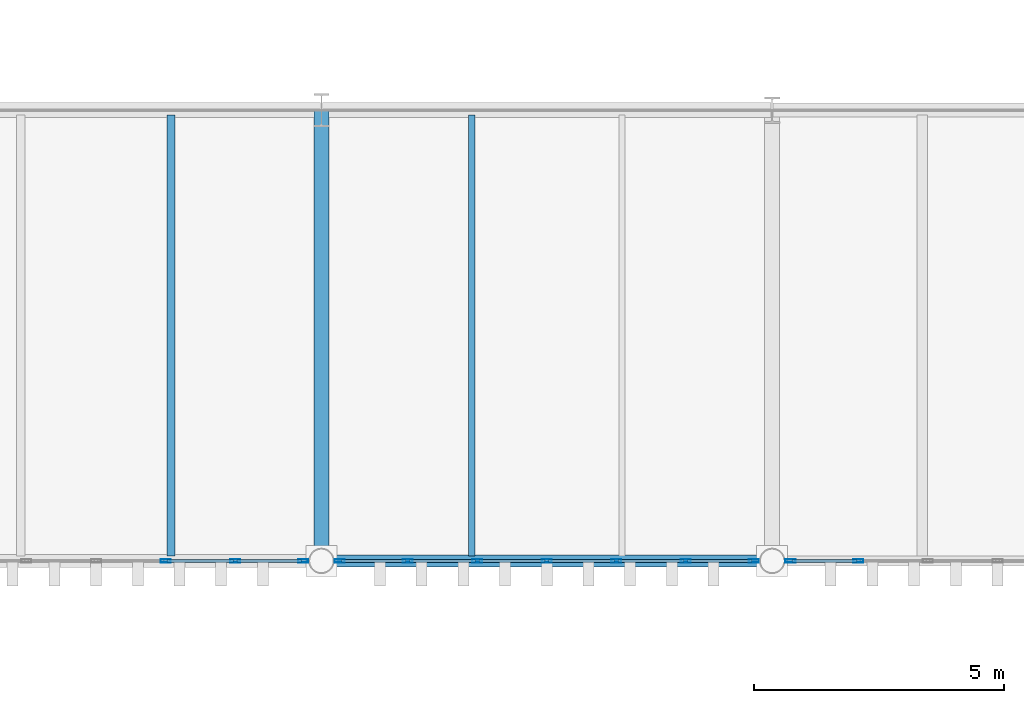
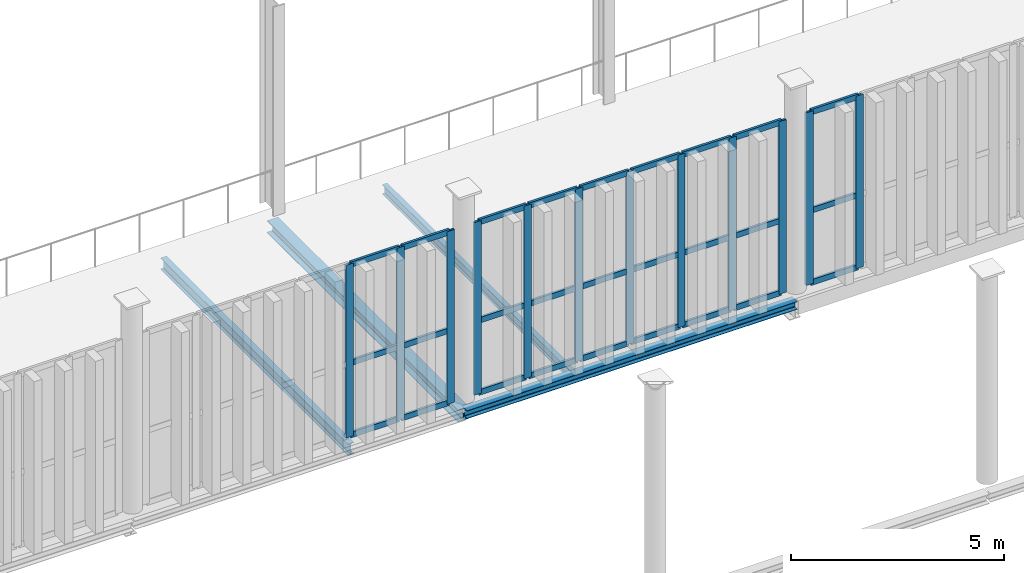
# One storey, part 38 of 211: 39 members, 4 beams, 3 elements without a shape of their own.
"""IFC4 building model written with IfcOpenShell, lengths in metres."""

from ifc_helpers import new_model, si_unit, direction, frame, origin, origin_2d, place, context, subcontext, project, spatial, hollow_rectangle, i_section, extrude, material, layer, layer_set, material_profile, profile_set, type_object, element, aggregate, save


model = new_model("IFC4")

# Units and contexts
model_context = context("Model", 3, precision=1e-05, world=origin(), true_north=direction((0.0, 1.0)))
body_context = subcontext(model_context, "Body", "Model", "MODEL_VIEW")
ifc_project = project(units=[si_unit("LENGTHUNIT", "METRE"), si_unit("AREAUNIT", "SQUARE_METRE"), si_unit("VOLUMEUNIT", "CUBIC_METRE"), si_unit("PLANEANGLEUNIT", "RADIAN"), si_unit("MASSUNIT", "GRAM", prefix="KILO")], contexts=[model_context])

# Site, building, storey
site_placement = place(None, origin())
site = spatial("IfcSite", under=ifc_project, at=site_placement, CompositionType="ELEMENT")
building_placement = place(site_placement, origin())
building = spatial("IfcBuilding", under=site, at=building_placement, Name="Barlavento Convention Centre", CompositionType="ELEMENT")
storey_placement = place(building_placement, frame((0.0, 0.0, 6.0)))
storey = spatial("IfcBuildingStorey", under=building, at=storey_placement, Name="L01", CompositionType="ELEMENT", Elevation=6.0)

# Curtain wall, members
ifc_material_1 = material(Name="Powder-coated aluminium and Low-E glass", Category="aluminium")
ifc_layer = layer(ifc_material_1, 0.18505859375)
ifc_layer_set = layer_set([ifc_layer], Name="ARC-CW-CONG-L01")
curtain_wall_type = type_object("IfcCurtainWallType", Name="ARC-CW-CONG-L01", PredefinedType="NOTDEFINED", material=ifc_layer_set)
curtain_wall_1_placement = place(storey_placement, origin())
curtain_wall_1 = element("IfcCurtainWall", 1, at=curtain_wall_1_placement, inside=storey, type_object=curtain_wall_type, Name="L01 unitised curtain wall CW01", PredefinedType="NOTDEFINED")
ifc_material_2 = material(Name="Powder-coated aluminium", Category="aluminium")
ifc_material_profile_1 = material_profile(ifc_material_2, hollow_rectangle(XDim=0.06494140625, YDim=0.199951171875, WallThickness=0.0048828125, at=origin_2d()), Name="AL-MULL 65x200x5")
ifc_profile_set_1 = profile_set([ifc_material_profile_1], Name="Powder-coated aluminium")
member_type_1 = type_object("IfcMemberType", Name="ARC-CWM-65X200", PredefinedType="MULLION", material=ifc_profile_set_1)
member_1_placement = place(storey_placement, frame((32.888671875, 9.0, 0.0), z_axis=(0.0, 0.0, 1.0), x_axis=(0.0, 1.0, 0.0)))
member_1 = element("IfcMember", 2, at=member_1_placement, type_object=member_type_1, Name="CW01 mullion 5", PredefinedType="MULLION", context=body_context, shape_type="SweptSolid", body=[
    extrude(hollow_rectangle(XDim=0.06494140625, YDim=0.199951171875, WallThickness=0.0048828125, at=origin_2d()), origin(), (0.0, 0.0, 1.0), 4.949951171875),
])
member_2_placement = place(storey_placement, frame((34.27734375, 9.0, 0.0), z_axis=(0.0, 0.0, 1.0), x_axis=(0.0, 1.0, 0.0)))
member_2 = element("IfcMember", 3, at=member_2_placement, type_object=member_type_1, Name="CW01 mullion 6", PredefinedType="MULLION", context=body_context, shape_type="SweptSolid", body=[
    extrude(hollow_rectangle(XDim=0.06494140625, YDim=0.199951171875, WallThickness=0.0048828125, at=origin_2d()), origin(), (0.0, 0.0, 1.0), 4.949951171875),
])
member_3_placement = place(storey_placement, frame((35.633544921875, 9.0, 0.0), z_axis=(0.0, 0.0, 1.0), x_axis=(0.0, 1.0, 0.0)))
member_3 = element("IfcMember", 4, at=member_3_placement, type_object=member_type_1, Name="CW01 mullion 7", PredefinedType="MULLION", context=body_context, shape_type="SweptSolid", body=[
    extrude(hollow_rectangle(XDim=0.06494140625, YDim=0.199951171875, WallThickness=0.0048828125, at=origin_2d()), origin(), (0.0, 0.0, 1.0), 4.949951171875),
])

curtain_wall_2_placement = place(storey_placement, origin())
curtain_wall_2 = element("IfcCurtainWall", 5, at=curtain_wall_2_placement, inside=storey, type_object=curtain_wall_type, Name="L01 unitised curtain wall CW01", PredefinedType="NOTDEFINED")
member_4_placement = place(storey_placement, frame((36.366455078125, 9.0, 0.0), z_axis=(0.0, 0.0, 1.0), x_axis=(0.0, 1.0, 0.0)))
member_4 = element("IfcMember", 6, at=member_4_placement, type_object=member_type_1, Name="CW01 mullion 1", PredefinedType="MULLION", context=body_context, shape_type="SweptSolid", body=[
    extrude(hollow_rectangle(XDim=0.06494140625, YDim=0.199951171875, WallThickness=0.0048828125, at=origin_2d()), origin(), (0.0, 0.0, 1.0), 4.949951171875),
])
member_5_placement = place(storey_placement, frame((37.72265625, 9.0, 0.0), z_axis=(0.0, 0.0, 1.0), x_axis=(0.0, 1.0, 0.0)))
member_5 = element("IfcMember", 7, at=member_5_placement, type_object=member_type_1, Name="CW01 mullion 2", PredefinedType="MULLION", context=body_context, shape_type="SweptSolid", body=[
    extrude(hollow_rectangle(XDim=0.06494140625, YDim=0.199951171875, WallThickness=0.0048828125, at=origin_2d()), origin(), (0.0, 0.0, 1.0), 4.949951171875),
])
member_6_placement = place(storey_placement, frame((39.111328125, 9.0, 0.0), z_axis=(0.0, 0.0, 1.0), x_axis=(0.0, 1.0, 0.0)))
member_6 = element("IfcMember", 8, at=member_6_placement, type_object=member_type_1, Name="CW01 mullion 3", PredefinedType="MULLION", context=body_context, shape_type="SweptSolid", body=[
    extrude(hollow_rectangle(XDim=0.06494140625, YDim=0.199951171875, WallThickness=0.0048828125, at=origin_2d()), origin(), (0.0, 0.0, 1.0), 4.949951171875),
])
member_7_placement = place(storey_placement, frame((40.5, 9.0, 0.0), z_axis=(0.0, 0.0, 1.0), x_axis=(0.0, 1.0, 0.0)))
member_7 = element("IfcMember", 9, at=member_7_placement, type_object=member_type_1, Name="CW01 mullion 4", PredefinedType="MULLION", context=body_context, shape_type="SweptSolid", body=[
    extrude(hollow_rectangle(XDim=0.06494140625, YDim=0.199951171875, WallThickness=0.0048828125, at=origin_2d()), origin(), (0.0, 0.0, 1.0), 4.949951171875),
])
member_8_placement = place(storey_placement, frame((41.888671875, 9.0, 0.0), z_axis=(0.0, 0.0, 1.0), x_axis=(0.0, 1.0, 0.0)))
member_8 = element("IfcMember", 10, at=member_8_placement, type_object=member_type_1, Name="CW01 mullion 5", PredefinedType="MULLION", context=body_context, shape_type="SweptSolid", body=[
    extrude(hollow_rectangle(XDim=0.06494140625, YDim=0.199951171875, WallThickness=0.0048828125, at=origin_2d()), origin(), (0.0, 0.0, 1.0), 4.949951171875),
])
member_9_placement = place(storey_placement, frame((43.27734375, 9.0, 0.0), z_axis=(0.0, 0.0, 1.0), x_axis=(0.0, 1.0, 0.0)))
member_9 = element("IfcMember", 11, at=member_9_placement, type_object=member_type_1, Name="CW01 mullion 6", PredefinedType="MULLION", context=body_context, shape_type="SweptSolid", body=[
    extrude(hollow_rectangle(XDim=0.06494140625, YDim=0.199951171875, WallThickness=0.0048828125, at=origin_2d()), origin(), (0.0, 0.0, 1.0), 4.949951171875),
])
member_10_placement = place(storey_placement, frame((44.633544921875, 9.0, 0.0), z_axis=(0.0, 0.0, 1.0), x_axis=(0.0, 1.0, 0.0)))
member_10 = element("IfcMember", 12, at=member_10_placement, type_object=member_type_1, Name="CW01 mullion 7", PredefinedType="MULLION", context=body_context, shape_type="SweptSolid", body=[
    extrude(hollow_rectangle(XDim=0.06494140625, YDim=0.199951171875, WallThickness=0.0048828125, at=origin_2d()), origin(), (0.0, 0.0, 1.0), 4.949951171875),
])

curtain_wall_3_placement = place(storey_placement, origin())
curtain_wall_3 = element("IfcCurtainWall", 13, at=curtain_wall_3_placement, inside=storey, type_object=curtain_wall_type, Name="L01 unitised curtain wall CW01", PredefinedType="NOTDEFINED")
member_11_placement = place(storey_placement, frame((45.366455078125, 9.0, 0.0), z_axis=(0.0, 0.0, 1.0), x_axis=(0.0, 1.0, 0.0)))
member_11 = element("IfcMember", 14, at=member_11_placement, type_object=member_type_1, Name="CW01 mullion 1", PredefinedType="MULLION", context=body_context, shape_type="SweptSolid", body=[
    extrude(hollow_rectangle(XDim=0.06494140625, YDim=0.199951171875, WallThickness=0.0048828125, at=origin_2d()), origin(), (0.0, 0.0, 1.0), 4.949951171875),
])
member_12_placement = place(storey_placement, frame((46.72265625, 9.0, 0.0), z_axis=(0.0, 0.0, 1.0), x_axis=(0.0, 1.0, 0.0)))
member_12 = element("IfcMember", 15, at=member_12_placement, type_object=member_type_1, Name="CW01 mullion 2", PredefinedType="MULLION", context=body_context, shape_type="SweptSolid", body=[
    extrude(hollow_rectangle(XDim=0.06494140625, YDim=0.199951171875, WallThickness=0.0048828125, at=origin_2d()), origin(), (0.0, 0.0, 1.0), 4.949951171875),
])

# Member
ifc_material_profile_2 = material_profile(ifc_material_2, hollow_rectangle(XDim=0.06494140625, YDim=0.159912109375, WallThickness=0.0048828125, at=origin_2d()), Name="AL-TRAN 65x160x5")
ifc_profile_set_2 = profile_set([ifc_material_profile_2], Name="Powder-coated aluminium")
member_type_2 = type_object("IfcMemberType", Name="ARC-CWT-65X160", PredefinedType="USERDEFINED", material=ifc_profile_set_2)
member_13_placement = place(storey_placement, frame((32.921142578125, 9.0, 0.032470703125), z_axis=(1.0, 0.0, 0.0), x_axis=(0.0, 1.0, 0.0)))
member_13 = element("IfcMember", 16, at=member_13_placement, type_object=member_type_2, Name="CW01 transom 5.1", ObjectType="TRANSOM", PredefinedType="USERDEFINED", context=body_context, shape_type="SweptSolid", body=[
    extrude(hollow_rectangle(XDim=0.06494140625, YDim=0.159912109375, WallThickness=0.0048828125, at=origin_2d()), origin(), (0.0, 0.0, 1.0), 1.32373046875),
])

member_14_placement = place(storey_placement, frame((32.921142578125, 9.0, 2.10009765625), z_axis=(1.0, 0.0, 0.0), x_axis=(0.0, 1.0, 0.0)))
member_14 = element("IfcMember", 17, at=member_14_placement, type_object=member_type_2, Name="CW01 transom 5.2", ObjectType="TRANSOM", PredefinedType="USERDEFINED", context=body_context, shape_type="SweptSolid", body=[
    extrude(hollow_rectangle(XDim=0.06494140625, YDim=0.159912109375, WallThickness=0.0048828125, at=origin_2d()), origin(), (0.0, 0.0, 1.0), 1.32373046875),
])

member_15_placement = place(storey_placement, frame((32.921142578125, 9.0, 4.91748046875), z_axis=(1.0, 0.0, 0.0), x_axis=(0.0, 1.0, 0.0)))
member_15 = element("IfcMember", 18, at=member_15_placement, type_object=member_type_2, Name="CW01 transom 5.3", ObjectType="TRANSOM", PredefinedType="USERDEFINED", context=body_context, shape_type="SweptSolid", body=[
    extrude(hollow_rectangle(XDim=0.06494140625, YDim=0.159912109375, WallThickness=0.0048828125, at=origin_2d()), origin(), (0.0, 0.0, 1.0), 1.32373046875),
])

member_16_placement = place(storey_placement, frame((34.309814453125, 9.0, 0.032470703125), z_axis=(1.0, 0.0, 0.0), x_axis=(0.0, 1.0, 0.0)))
member_16 = element("IfcMember", 19, at=member_16_placement, type_object=member_type_2, Name="CW01 transom 6.1", ObjectType="TRANSOM", PredefinedType="USERDEFINED", context=body_context, shape_type="SweptSolid", body=[
    extrude(hollow_rectangle(XDim=0.06494140625, YDim=0.159912109375, WallThickness=0.0048828125, at=origin_2d()), origin(), (0.0, 0.0, 1.0), 1.291259765625),
])

member_17_placement = place(storey_placement, frame((34.309814453125, 9.0, 2.10009765625), z_axis=(1.0, 0.0, 0.0), x_axis=(0.0, 1.0, 0.0)))
member_17 = element("IfcMember", 20, at=member_17_placement, type_object=member_type_2, Name="CW01 transom 6.2", ObjectType="TRANSOM", PredefinedType="USERDEFINED", context=body_context, shape_type="SweptSolid", body=[
    extrude(hollow_rectangle(XDim=0.06494140625, YDim=0.159912109375, WallThickness=0.0048828125, at=origin_2d()), origin(), (0.0, 0.0, 1.0), 1.291259765625),
])

member_18_placement = place(storey_placement, frame((34.309814453125, 9.0, 4.91748046875), z_axis=(1.0, 0.0, 0.0), x_axis=(0.0, 1.0, 0.0)))
member_18 = element("IfcMember", 21, at=member_18_placement, type_object=member_type_2, Name="CW01 transom 6.3", ObjectType="TRANSOM", PredefinedType="USERDEFINED", context=body_context, shape_type="SweptSolid", body=[
    extrude(hollow_rectangle(XDim=0.06494140625, YDim=0.159912109375, WallThickness=0.0048828125, at=origin_2d()), origin(), (0.0, 0.0, 1.0), 1.291259765625),
])

aggregate(curtain_wall_1, [member_1, member_2, member_3, member_13, member_14, member_15, member_16, member_17, member_18])

member_19_placement = place(storey_placement, frame((36.39892578125, 9.0, 0.032470703125), z_axis=(1.0, 0.0, 0.0), x_axis=(0.0, 1.0, 0.0)))
member_19 = element("IfcMember", 22, at=member_19_placement, type_object=member_type_2, Name="CW01 transom 1.1", ObjectType="TRANSOM", PredefinedType="USERDEFINED", context=body_context, shape_type="SweptSolid", body=[
    extrude(hollow_rectangle(XDim=0.06494140625, YDim=0.159912109375, WallThickness=0.0048828125, at=origin_2d()), origin(), (0.0, 0.0, 1.0), 1.291259765625),
])

member_20_placement = place(storey_placement, frame((36.39892578125, 9.0, 2.10009765625), z_axis=(1.0, 0.0, 0.0), x_axis=(0.0, 1.0, 0.0)))
member_20 = element("IfcMember", 23, at=member_20_placement, type_object=member_type_2, Name="CW01 transom 1.2", ObjectType="TRANSOM", PredefinedType="USERDEFINED", context=body_context, shape_type="SweptSolid", body=[
    extrude(hollow_rectangle(XDim=0.06494140625, YDim=0.159912109375, WallThickness=0.0048828125, at=origin_2d()), origin(), (0.0, 0.0, 1.0), 1.291259765625),
])

member_21_placement = place(storey_placement, frame((36.39892578125, 9.0, 4.91748046875), z_axis=(1.0, 0.0, 0.0), x_axis=(0.0, 1.0, 0.0)))
member_21 = element("IfcMember", 24, at=member_21_placement, type_object=member_type_2, Name="CW01 transom 1.3", ObjectType="TRANSOM", PredefinedType="USERDEFINED", context=body_context, shape_type="SweptSolid", body=[
    extrude(hollow_rectangle(XDim=0.06494140625, YDim=0.159912109375, WallThickness=0.0048828125, at=origin_2d()), origin(), (0.0, 0.0, 1.0), 1.291259765625),
])

member_22_placement = place(storey_placement, frame((37.755126953125, 9.0, 0.032470703125), z_axis=(1.0, 0.0, 0.0), x_axis=(0.0, 1.0, 0.0)))
member_22 = element("IfcMember", 25, at=member_22_placement, type_object=member_type_2, Name="CW01 transom 2.1", ObjectType="TRANSOM", PredefinedType="USERDEFINED", context=body_context, shape_type="SweptSolid", body=[
    extrude(hollow_rectangle(XDim=0.06494140625, YDim=0.159912109375, WallThickness=0.0048828125, at=origin_2d()), origin(), (0.0, 0.0, 1.0), 1.32373046875),
])

member_23_placement = place(storey_placement, frame((37.755126953125, 9.0, 2.10009765625), z_axis=(1.0, 0.0, 0.0), x_axis=(0.0, 1.0, 0.0)))
member_23 = element("IfcMember", 26, at=member_23_placement, type_object=member_type_2, Name="CW01 transom 2.2", ObjectType="TRANSOM", PredefinedType="USERDEFINED", context=body_context, shape_type="SweptSolid", body=[
    extrude(hollow_rectangle(XDim=0.06494140625, YDim=0.159912109375, WallThickness=0.0048828125, at=origin_2d()), origin(), (0.0, 0.0, 1.0), 1.32373046875),
])

member_24_placement = place(storey_placement, frame((37.755126953125, 9.0, 4.91748046875), z_axis=(1.0, 0.0, 0.0), x_axis=(0.0, 1.0, 0.0)))
member_24 = element("IfcMember", 27, at=member_24_placement, type_object=member_type_2, Name="CW01 transom 2.3", ObjectType="TRANSOM", PredefinedType="USERDEFINED", context=body_context, shape_type="SweptSolid", body=[
    extrude(hollow_rectangle(XDim=0.06494140625, YDim=0.159912109375, WallThickness=0.0048828125, at=origin_2d()), origin(), (0.0, 0.0, 1.0), 1.32373046875),
])

member_25_placement = place(storey_placement, frame((39.143798828125, 9.0, 0.032470703125), z_axis=(1.0, 0.0, 0.0), x_axis=(0.0, 1.0, 0.0)))
member_25 = element("IfcMember", 28, at=member_25_placement, type_object=member_type_2, Name="CW01 transom 3.1", ObjectType="TRANSOM", PredefinedType="USERDEFINED", context=body_context, shape_type="SweptSolid", body=[
    extrude(hollow_rectangle(XDim=0.06494140625, YDim=0.159912109375, WallThickness=0.0048828125, at=origin_2d()), origin(), (0.0, 0.0, 1.0), 1.32373046875),
])

member_26_placement = place(storey_placement, frame((39.143798828125, 9.0, 2.10009765625), z_axis=(1.0, 0.0, 0.0), x_axis=(0.0, 1.0, 0.0)))
member_26 = element("IfcMember", 29, at=member_26_placement, type_object=member_type_2, Name="CW01 transom 3.2", ObjectType="TRANSOM", PredefinedType="USERDEFINED", context=body_context, shape_type="SweptSolid", body=[
    extrude(hollow_rectangle(XDim=0.06494140625, YDim=0.159912109375, WallThickness=0.0048828125, at=origin_2d()), origin(), (0.0, 0.0, 1.0), 1.32373046875),
])

member_27_placement = place(storey_placement, frame((39.143798828125, 9.0, 4.91748046875), z_axis=(1.0, 0.0, 0.0), x_axis=(0.0, 1.0, 0.0)))
member_27 = element("IfcMember", 30, at=member_27_placement, type_object=member_type_2, Name="CW01 transom 3.3", ObjectType="TRANSOM", PredefinedType="USERDEFINED", context=body_context, shape_type="SweptSolid", body=[
    extrude(hollow_rectangle(XDim=0.06494140625, YDim=0.159912109375, WallThickness=0.0048828125, at=origin_2d()), origin(), (0.0, 0.0, 1.0), 1.32373046875),
])

member_28_placement = place(storey_placement, frame((40.532470703125, 9.0, 0.032470703125), z_axis=(1.0, 0.0, 0.0), x_axis=(0.0, 1.0, 0.0)))
member_28 = element("IfcMember", 31, at=member_28_placement, type_object=member_type_2, Name="CW01 transom 4.1", ObjectType="TRANSOM", PredefinedType="USERDEFINED", context=body_context, shape_type="SweptSolid", body=[
    extrude(hollow_rectangle(XDim=0.06494140625, YDim=0.159912109375, WallThickness=0.0048828125, at=origin_2d()), origin(), (0.0, 0.0, 1.0), 1.32373046875),
])

member_29_placement = place(storey_placement, frame((40.532470703125, 9.0, 2.10009765625), z_axis=(1.0, 0.0, 0.0), x_axis=(0.0, 1.0, 0.0)))
member_29 = element("IfcMember", 32, at=member_29_placement, type_object=member_type_2, Name="CW01 transom 4.2", ObjectType="TRANSOM", PredefinedType="USERDEFINED", context=body_context, shape_type="SweptSolid", body=[
    extrude(hollow_rectangle(XDim=0.06494140625, YDim=0.159912109375, WallThickness=0.0048828125, at=origin_2d()), origin(), (0.0, 0.0, 1.0), 1.32373046875),
])

member_30_placement = place(storey_placement, frame((40.532470703125, 9.0, 4.91748046875), z_axis=(1.0, 0.0, 0.0), x_axis=(0.0, 1.0, 0.0)))
member_30 = element("IfcMember", 33, at=member_30_placement, type_object=member_type_2, Name="CW01 transom 4.3", ObjectType="TRANSOM", PredefinedType="USERDEFINED", context=body_context, shape_type="SweptSolid", body=[
    extrude(hollow_rectangle(XDim=0.06494140625, YDim=0.159912109375, WallThickness=0.0048828125, at=origin_2d()), origin(), (0.0, 0.0, 1.0), 1.32373046875),
])

member_31_placement = place(storey_placement, frame((41.921142578125, 9.0, 0.032470703125), z_axis=(1.0, 0.0, 0.0), x_axis=(0.0, 1.0, 0.0)))
member_31 = element("IfcMember", 34, at=member_31_placement, type_object=member_type_2, Name="CW01 transom 5.1", ObjectType="TRANSOM", PredefinedType="USERDEFINED", context=body_context, shape_type="SweptSolid", body=[
    extrude(hollow_rectangle(XDim=0.06494140625, YDim=0.159912109375, WallThickness=0.0048828125, at=origin_2d()), origin(), (0.0, 0.0, 1.0), 1.32373046875),
])

member_32_placement = place(storey_placement, frame((41.921142578125, 9.0, 2.10009765625), z_axis=(1.0, 0.0, 0.0), x_axis=(0.0, 1.0, 0.0)))
member_32 = element("IfcMember", 35, at=member_32_placement, type_object=member_type_2, Name="CW01 transom 5.2", ObjectType="TRANSOM", PredefinedType="USERDEFINED", context=body_context, shape_type="SweptSolid", body=[
    extrude(hollow_rectangle(XDim=0.06494140625, YDim=0.159912109375, WallThickness=0.0048828125, at=origin_2d()), origin(), (0.0, 0.0, 1.0), 1.32373046875),
])

member_33_placement = place(storey_placement, frame((41.921142578125, 9.0, 4.91748046875), z_axis=(1.0, 0.0, 0.0), x_axis=(0.0, 1.0, 0.0)))
member_33 = element("IfcMember", 36, at=member_33_placement, type_object=member_type_2, Name="CW01 transom 5.3", ObjectType="TRANSOM", PredefinedType="USERDEFINED", context=body_context, shape_type="SweptSolid", body=[
    extrude(hollow_rectangle(XDim=0.06494140625, YDim=0.159912109375, WallThickness=0.0048828125, at=origin_2d()), origin(), (0.0, 0.0, 1.0), 1.32373046875),
])

member_34_placement = place(storey_placement, frame((43.309814453125, 9.0, 0.032470703125), z_axis=(1.0, 0.0, 0.0), x_axis=(0.0, 1.0, 0.0)))
member_34 = element("IfcMember", 37, at=member_34_placement, type_object=member_type_2, Name="CW01 transom 6.1", ObjectType="TRANSOM", PredefinedType="USERDEFINED", context=body_context, shape_type="SweptSolid", body=[
    extrude(hollow_rectangle(XDim=0.06494140625, YDim=0.159912109375, WallThickness=0.0048828125, at=origin_2d()), origin(), (0.0, 0.0, 1.0), 1.291259765625),
])

member_35_placement = place(storey_placement, frame((43.309814453125, 9.0, 2.10009765625), z_axis=(1.0, 0.0, 0.0), x_axis=(0.0, 1.0, 0.0)))
member_35 = element("IfcMember", 38, at=member_35_placement, type_object=member_type_2, Name="CW01 transom 6.2", ObjectType="TRANSOM", PredefinedType="USERDEFINED", context=body_context, shape_type="SweptSolid", body=[
    extrude(hollow_rectangle(XDim=0.06494140625, YDim=0.159912109375, WallThickness=0.0048828125, at=origin_2d()), origin(), (0.0, 0.0, 1.0), 1.291259765625),
])

member_36_placement = place(storey_placement, frame((43.309814453125, 9.0, 4.91748046875), z_axis=(1.0, 0.0, 0.0), x_axis=(0.0, 1.0, 0.0)))
member_36 = element("IfcMember", 39, at=member_36_placement, type_object=member_type_2, Name="CW01 transom 6.3", ObjectType="TRANSOM", PredefinedType="USERDEFINED", context=body_context, shape_type="SweptSolid", body=[
    extrude(hollow_rectangle(XDim=0.06494140625, YDim=0.159912109375, WallThickness=0.0048828125, at=origin_2d()), origin(), (0.0, 0.0, 1.0), 1.291259765625),
])

aggregate(curtain_wall_2, [member_4, member_5, member_6, member_7, member_8, member_9, member_10, member_19, member_20, member_21, member_22, member_23, member_24, member_25, member_26, member_27, member_28, member_29, member_30, member_31, member_32, member_33, member_34, member_35, member_36])

member_37_placement = place(storey_placement, frame((45.39892578125, 9.0, 0.032470703125), z_axis=(1.0, 0.0, 0.0), x_axis=(0.0, 1.0, 0.0)))
member_37 = element("IfcMember", 40, at=member_37_placement, type_object=member_type_2, Name="CW01 transom 1.1", ObjectType="TRANSOM", PredefinedType="USERDEFINED", context=body_context, shape_type="SweptSolid", body=[
    extrude(hollow_rectangle(XDim=0.06494140625, YDim=0.159912109375, WallThickness=0.0048828125, at=origin_2d()), origin(), (0.0, 0.0, 1.0), 1.291259765625),
])

member_38_placement = place(storey_placement, frame((45.39892578125, 9.0, 2.10009765625), z_axis=(1.0, 0.0, 0.0), x_axis=(0.0, 1.0, 0.0)))
member_38 = element("IfcMember", 41, at=member_38_placement, type_object=member_type_2, Name="CW01 transom 1.2", ObjectType="TRANSOM", PredefinedType="USERDEFINED", context=body_context, shape_type="SweptSolid", body=[
    extrude(hollow_rectangle(XDim=0.06494140625, YDim=0.159912109375, WallThickness=0.0048828125, at=origin_2d()), origin(), (0.0, 0.0, 1.0), 1.291259765625),
])

member_39_placement = place(storey_placement, frame((45.39892578125, 9.0, 4.91748046875), z_axis=(1.0, 0.0, 0.0), x_axis=(0.0, 1.0, 0.0)))
member_39 = element("IfcMember", 42, at=member_39_placement, type_object=member_type_2, Name="CW01 transom 1.3", ObjectType="TRANSOM", PredefinedType="USERDEFINED", context=body_context, shape_type="SweptSolid", body=[
    extrude(hollow_rectangle(XDim=0.06494140625, YDim=0.159912109375, WallThickness=0.0048828125, at=origin_2d()), origin(), (0.0, 0.0, 1.0), 1.291259765625),
])

aggregate(curtain_wall_3, [member_11, member_12, member_37, member_38, member_39])

# Beams
ifc_material_3 = material(Name="Steel S355", Category="steel")
ifc_material_profile_3 = material_profile(ifc_material_3, i_section(OverallWidth=0.135009765625, OverallDepth=0.27001953125, WebThickness=0.006591796875, FlangeThickness=0.01025390625, FilletRadius=0.014892578125, at=origin_2d()), Name="IPE 270")
ifc_profile_set_3 = profile_set([ifc_material_profile_3], Name="Steel S355")
beam_type_1 = type_object("IfcBeamType", Name="STR-BM-JST-IPE270", PredefinedType="JOIST", material=ifc_profile_set_3)
beam_1_placement = place(storey_placement, frame((39.0, 9.094970703125, -0.43505859375), z_axis=(0.0, 1.0, 0.0), x_axis=(-1.0, 0.0, 0.0)))
element("IfcBeam", 43, at=beam_1_placement, inside=storey, type_object=beam_type_1, Name="L01 composite floor joist SJ08", PredefinedType="JOIST", context=body_context, shape_type="SweptSolid", body=[
    extrude(i_section(OverallWidth=0.135009765625, OverallDepth=0.27001953125, WebThickness=0.006591796875, FlangeThickness=0.01025390625, FilletRadius=0.014892578125, at=origin_2d()), origin(), (0.0, 0.0, 1.0), 8.81005859375),
])
ifc_material_profile_4 = material_profile(ifc_material_3, i_section(OverallWidth=0.159912109375, OverallDepth=0.330078125, WebThickness=0.007568359375, FlangeThickness=0.011474609375, FilletRadius=0.01806640625, at=origin_2d()), Name="IPE 330")
ifc_profile_set_4 = profile_set([ifc_material_profile_4], Name="Steel S355")
beam_type_2 = type_object("IfcBeamType", Name="STR-BM-JST-IPE330", PredefinedType="JOIST", material=ifc_profile_set_4)
beam_2_placement = place(storey_placement, frame((33.0, 9.094970703125, -0.465087890625), z_axis=(0.0, 1.0, 0.0), x_axis=(-1.0, 0.0, 0.0)))
element("IfcBeam", 44, at=beam_2_placement, inside=storey, type_object=beam_type_2, Name="L01 composite floor joist SJ06", PredefinedType="JOIST", context=body_context, shape_type="SweptSolid", body=[
    extrude(i_section(OverallWidth=0.159912109375, OverallDepth=0.330078125, WebThickness=0.007568359375, FlangeThickness=0.011474609375, FilletRadius=0.01806640625, at=origin_2d()), origin(), (0.0, 0.0, 1.0), 8.81005859375),
])
ifc_material_profile_5 = material_profile(ifc_material_3, i_section(OverallWidth=0.300048828125, OverallDepth=0.35009765625, WebThickness=0.010009765625, FlangeThickness=0.017578125, FilletRadius=0.027099609375, at=origin_2d()), Name="HEA 360")
ifc_profile_set_5 = profile_set([ifc_material_profile_5], Name="Steel S355")
beam_type_3 = type_object("IfcBeamType", Name="STR-BM-PRI-HEA360", PredefinedType="BEAM", material=ifc_profile_set_5)
beam_3_placement = place(storey_placement, frame((36.0, 9.02001953125, -0.47509765625), z_axis=(0.0, 1.0, 0.0), x_axis=(-1.0, 0.0, 0.0)))
element("IfcBeam", 45, at=beam_3_placement, inside=storey, type_object=beam_type_3, Name="L01 grid girder BG23", PredefinedType="BEAM", context=body_context, shape_type="SweptSolid", body=[
    extrude(i_section(OverallWidth=0.300048828125, OverallDepth=0.35009765625, WebThickness=0.010009765625, FlangeThickness=0.017578125, FilletRadius=0.027099609375, at=origin_2d()), origin(), (0.0, 0.0, 1.0), 8.9599609375),
])
ifc_material_profile_6 = material_profile(ifc_material_3, i_section(OverallWidth=0.239990234375, OverallDepth=0.22998046875, WebThickness=0.007568359375, FlangeThickness=0.011962890625, FilletRadius=0.02099609375, at=origin_2d()), Name="HEA 240")
ifc_profile_set_6 = profile_set([ifc_material_profile_6], Name="Steel S355")
beam_type_4 = type_object("IfcBeamType", Name="STR-BM-SPN-HEA240", PredefinedType="SPANDREL", material=ifc_profile_set_6)
beam_4_placement = place(storey_placement, frame((36.02001953125, 9.0, -0.4150390625), z_axis=(1.0, 0.0, 0.0), x_axis=(0.0, 1.0, 0.0)))
element("IfcBeam", 46, at=beam_4_placement, inside=storey, type_object=beam_type_4, Name="L01 primary girder SP05", PredefinedType="SPANDREL", context=body_context, shape_type="SweptSolid", body=[
    extrude(i_section(OverallWidth=0.239990234375, OverallDepth=0.22998046875, WebThickness=0.007568359375, FlangeThickness=0.011962890625, FilletRadius=0.02099609375, at=origin_2d()), origin(), (0.0, 0.0, 1.0), 8.9599609375),
])

save(model, "model.ifc")
